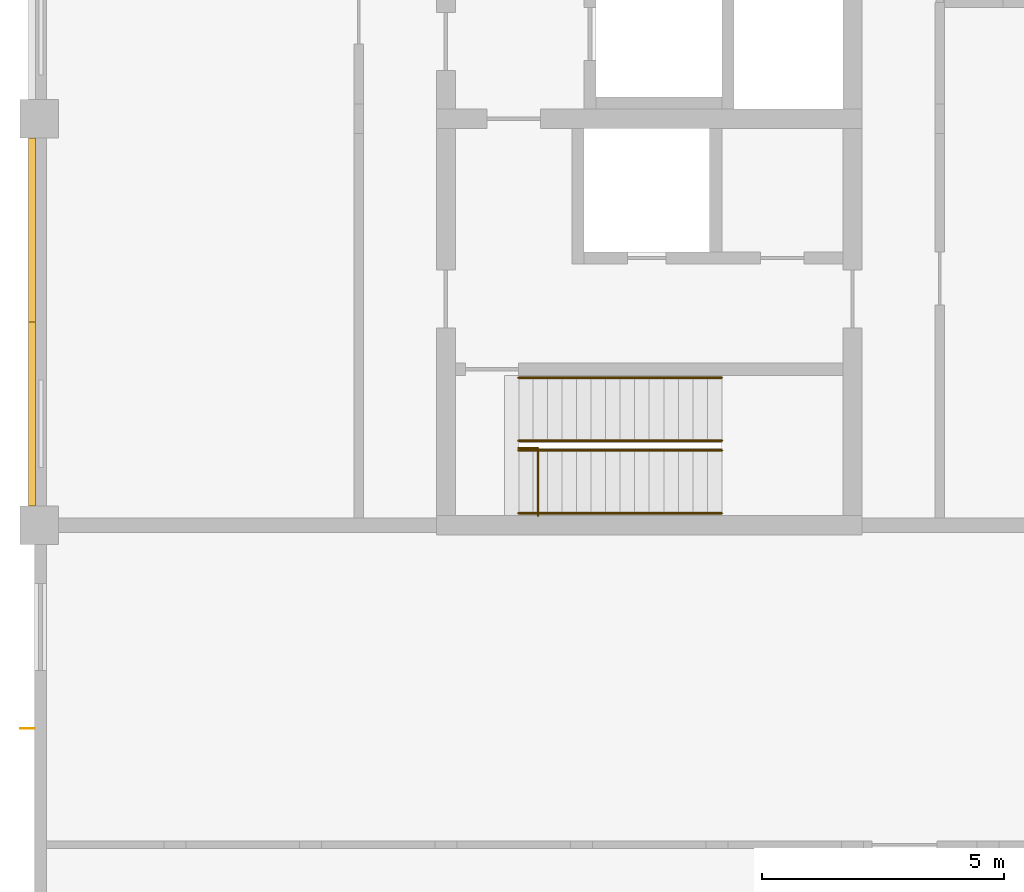
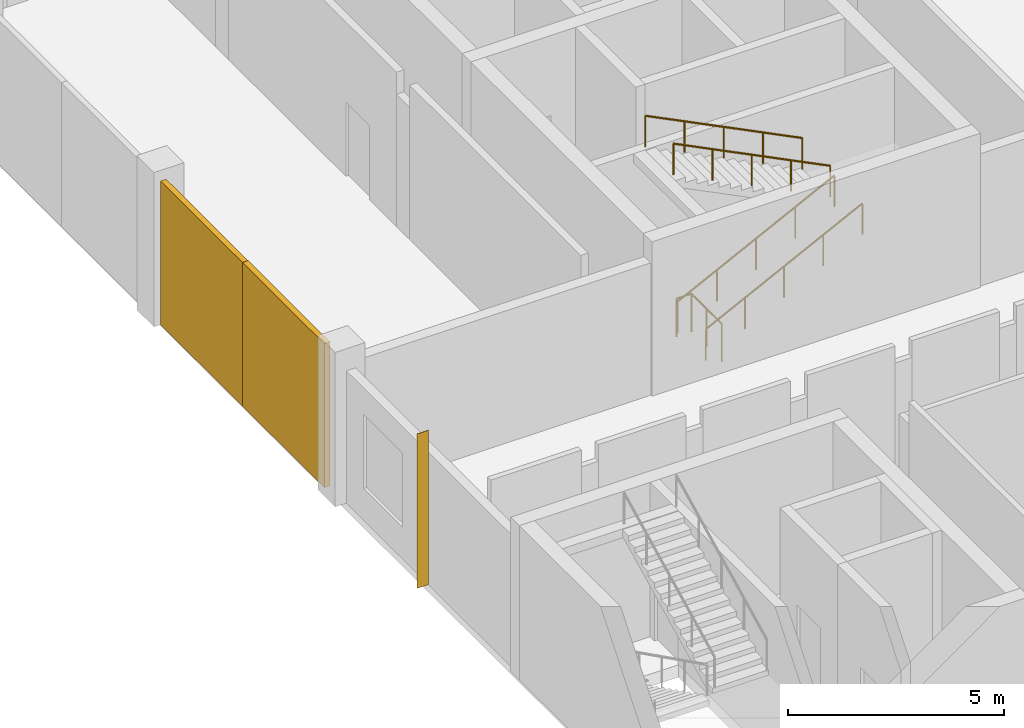
# One storey, part 55 of 70: 5 railings, 3 shading devices.
"""IFC4 building model written with IfcOpenShell, lengths in metres."""

from ifc_helpers import new_model, si_unit, direction, frame, origin, origin_2d, place, context, subcontext, project, spatial, rectangle, circle, extrude, material, layer, layer_set, type_object, element, save


model = new_model("IFC4")

# Units and contexts
model_context = context("Model", 3, precision=1e-05, world=origin(), true_north=direction((0.0, 1.0)))
body_context = subcontext(model_context, "Body", "Model", "MODEL_VIEW")
ifc_project = project(units=[si_unit("LENGTHUNIT", "METRE"), si_unit("AREAUNIT", "SQUARE_METRE"), si_unit("VOLUMEUNIT", "CUBIC_METRE"), si_unit("PLANEANGLEUNIT", "RADIAN"), si_unit("MASSUNIT", "GRAM", prefix="KILO")], contexts=[model_context])

# Site, building, storey
site_placement = place(None, origin())
site = spatial("IfcSite", under=ifc_project, at=site_placement, CompositionType="ELEMENT")
building_placement = place(site_placement, origin())
building = spatial("IfcBuilding", under=site, at=building_placement, Name="Hlaing Beacon Police Headquarters", CompositionType="ELEMENT")
storey_placement = place(building_placement, frame((0.0, 0.0, 5.39990234375)))
storey = spatial("IfcBuildingStorey", under=building, at=storey_placement, Name="L01", CompositionType="ELEMENT", Elevation=5.39990234375)

# Shading devices
ifc_material_1 = material(Name="Aluminium 6063-T5 anodised", Category="aluminium")
ifc_layer_1 = layer(ifc_material_1, 0.011962890625)
ifc_layer_set_1 = layer_set([ifc_layer_1], Name="Aluminium 6063-T5 anodised")
shading_device_type_1 = type_object("IfcShadingDeviceType", Name="Aluminium fin 12x300", PredefinedType="JALOUSIE", material=ifc_layer_set_1)
shading_device_placement = place(storey_placement, frame((8.14990234375, 29.39990234375, 0.0), z_axis=(0.0, 0.0, 1.0), x_axis=(0.0, -1.0, 0.0)))
element("IfcShadingDevice", 1, at=shading_device_placement, inside=storey, type_object=shading_device_type_1, Name="Fin L01 W001", PredefinedType="JALOUSIE", context=body_context, shape_type="SweptSolid", body=[
    extrude(rectangle(XDim=0.011962890625, YDim=0.300048828125, at=origin_2d()), origin(), (0.0, 0.0, 1.0), 4.3701171875),
])
ifc_material_2 = material(Name="Perforated aluminium", Category="aluminium")
ifc_layer_2 = layer(ifc_material_2, 0.14990234375)
ifc_layer_set_2 = layer_set([ifc_layer_2], Name="Perforated aluminium")
shading_device_type_2 = type_object("IfcShadingDeviceType", Name="Perforated screen panel 150", PredefinedType="JALOUSIE", material=ifc_layer_set_2)
for number, where, z_axis, x_axis, name in (
    (2, (8.25, 39.699951171875, 0.0), (0.0, 0.0, 1.0), (0.0, -1.0, 0.0), "Screen L01 W007"),
    (3, (8.25, 35.89990234375, 0.0), (0.0, 0.0, 1.0), (0.0, -1.0, 0.0), "Screen L01 W008"),
):
    element("IfcShadingDevice", number, at=place(storey_placement, frame(where, z_axis=z_axis, x_axis=x_axis)), inside=storey, type_object=shading_device_type_2, Name=name, PredefinedType="JALOUSIE", context=body_context, shape_type="SweptSolid", body=[
        extrude(rectangle(XDim=3.800048828125, YDim=0.14990234375, at=origin_2d()), origin(), (0.0, 0.0, 1.0), 4.070068359375),
    ])

# Railings
ifc_material_3 = material(Name="Stainless steel", Category="steel")
railing_type_1 = type_object("IfcRailingType", Name="Stair guard 1100", PredefinedType="GUARDRAIL", material=ifc_material_3)
railing_placement = place(storey_placement, frame((18.699951171875, 33.800048828125, 0.0)))
element("IfcRailing", 4, at=railing_placement, inside=storey, type_object=railing_type_1, Name="Guard ST-N", PredefinedType="GUARDRAIL", context=body_context, shape_type="SweptSolid", body=[
    extrude(circle(Radius=0.02392578125, at=origin_2d()), frame((0.0, 0.0, 1.076171875), z_axis=(0.0, 1.0, 0.0), x_axis=(-1.0, 0.0, 0.0)), (0.0, 0.0, 1.0), 1.39990234375),
    extrude(circle(Radius=0.02392578125, at=origin_2d()), frame((0.0, 1.39990234375, 1.076171875), z_axis=(-1.0, 0.0, 0.0), x_axis=(0.0, -1.0, 0.0)), (0.0, 0.0, 1.0), 0.39990234375),
    extrude(circle(Radius=0.02099609375, at=origin_2d()), origin(), (0.0, 0.0, 1.0), 1.052001953125),
    extrude(circle(Radius=0.02099609375, at=origin_2d()), frame((0.0, 0.699951171875, 0.0)), (0.0, 0.0, 1.0), 1.052001953125),
    extrude(circle(Radius=0.02099609375, at=origin_2d()), frame((0.0, 1.39990234375, 0.0)), (0.0, 0.0, 1.0), 1.052001953125),
    extrude(circle(Radius=0.02099609375, at=origin_2d()), frame((-0.39990234375, 1.39990234375, 0.0)), (0.0, 0.0, 1.0), 1.052001953125),
])
ifc_material_4 = material(Name="Stainless steel", Category="steel")
railing_type_2 = type_object("IfcRailingType", Name="Stair handrail 900", PredefinedType="HANDRAIL", material=ifc_material_4)
for number, where, name in (
    (5, (18.300048828125, 33.85009765625, 0.150146484375), "Handrail ST-N"),
    (6, (18.300048828125, 35.14990234375, 0.150146484375), "Handrail ST-N"),
):
    element("IfcRailing", number, at=place(storey_placement, frame(where)), inside=storey, type_object=railing_type_2, Name=name, PredefinedType="HANDRAIL", context=body_context, shape_type="SweptSolid", body=[
        extrude(circle(Radius=0.02392578125, at=origin_2d()), frame((0.0, 0.0, 0.8759765625), z_axis=(0.894437589381, 0.0, 0.447192798132), x_axis=(0.0, 1.0, 0.0)), (0.0, 0.0, 1.0), 4.695556640625),
        extrude(circle(Radius=0.02099609375, at=origin_2d()), origin(), (0.0, 0.0, 1.0), 0.851806640625),
        extrude(circle(Radius=0.02099609375, at=origin_2d()), frame((1.050048828125, 0.0, 0.52490234375)), (0.0, 0.0, 1.0), 0.851806640625),
        extrude(circle(Radius=0.02099609375, at=origin_2d()), frame((2.10009765625, 0.0, 1.0498046875)), (0.0, 0.0, 1.0), 0.851806640625),
        extrude(circle(Radius=0.02099609375, at=origin_2d()), frame((3.14990234375, 0.0, 1.574951171875)), (0.0, 0.0, 1.0), 0.851806640625),
        extrude(circle(Radius=0.02099609375, at=origin_2d()), frame((4.199951171875, 0.0, 2.099853515625)), (0.0, 0.0, 1.0), 0.851806640625),
    ])
for number, where, name in (
    (7, (22.5, 35.35009765625, 2.400146484375), "Handrail ST-N"),
    (8, (22.5, 36.64990234375, 2.400146484375), "Handrail ST-N"),
):
    element("IfcRailing", number, at=place(storey_placement, frame(where)), inside=storey, type_object=railing_type_2, Name=name, PredefinedType="HANDRAIL", context=body_context, shape_type="SweptSolid", body=[
        extrude(circle(Radius=0.02392578125, at=origin_2d()), frame((0.0, 0.0, 0.8759765625), z_axis=(-0.894437589381, 0.0, 0.447192798132), x_axis=(0.0, -1.0, 0.0)), (0.0, 0.0, 1.0), 4.695556640625),
        extrude(circle(Radius=0.02099609375, at=origin_2d()), origin(), (0.0, 0.0, 1.0), 0.851806640625),
        extrude(circle(Radius=0.02099609375, at=origin_2d()), frame((-1.050048828125, 0.0, 0.52490234375)), (0.0, 0.0, 1.0), 0.851806640625),
        extrude(circle(Radius=0.02099609375, at=origin_2d()), frame((-2.10009765625, 0.0, 1.0498046875)), (0.0, 0.0, 1.0), 0.851806640625),
        extrude(circle(Radius=0.02099609375, at=origin_2d()), frame((-3.14990234375, 0.0, 1.574951171875)), (0.0, 0.0, 1.0), 0.851806640625),
        extrude(circle(Radius=0.02099609375, at=origin_2d()), frame((-4.199951171875, 0.0, 2.099853515625)), (0.0, 0.0, 1.0), 0.851806640625),
    ])

save(model, "model.ifc")
